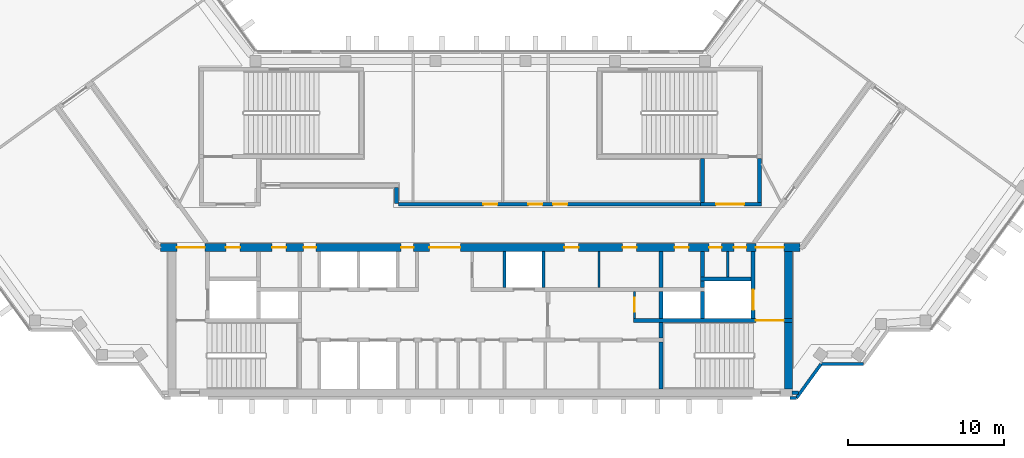
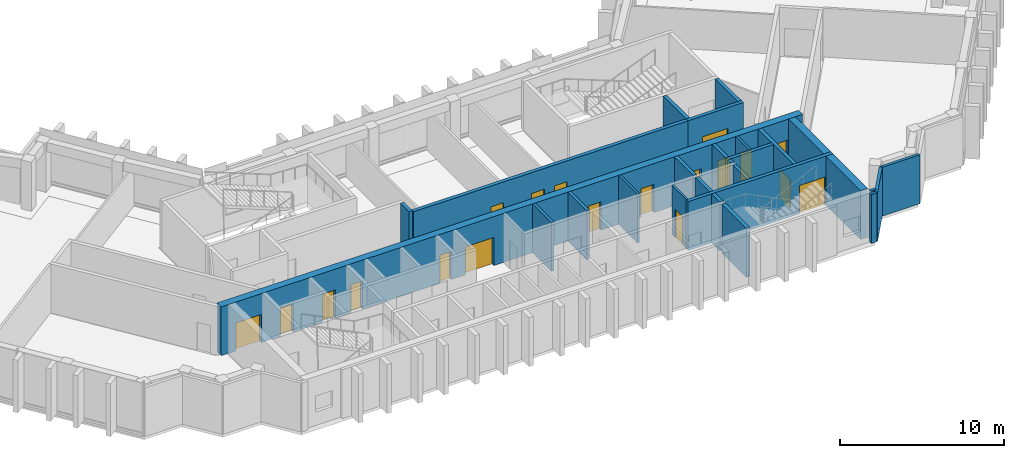
# One storey, part 7 of 10: 27 walls, 19 doors, 19 openings.
"""IFC4 building model written with IfcOpenShell, lengths in metres."""

from ifc_helpers import new_model, si_unit, direction, frame, frame_2d, origin, place, context, subcontext, project, spatial, rectangle, extrude, material, layer, layer_set, type_object, element, fill, save


model = new_model("IFC4")

# Units and contexts
model_context = context("Model", 3, precision=1e-05, world=origin(), true_north=direction((0.0, 1.0)))
body_context = subcontext(model_context, "Body", "Model", "MODEL_VIEW")
ifc_project = project(units=[si_unit("LENGTHUNIT", "METRE"), si_unit("AREAUNIT", "SQUARE_METRE"), si_unit("VOLUMEUNIT", "CUBIC_METRE"), si_unit("PLANEANGLEUNIT", "RADIAN"), si_unit("MASSUNIT", "GRAM", prefix="KILO")], contexts=[model_context])

# Site, building, storey
site_placement = place(None, origin())
site = spatial("IfcSite", under=ifc_project, at=site_placement, CompositionType="ELEMENT")
building_placement = place(site_placement, origin())
building = spatial("IfcBuilding", under=site, at=building_placement, Name="Quipu Civic Tower", CompositionType="ELEMENT")
storey_placement = place(building_placement, frame((0.0, 0.0, 253.0)))
storey = spatial("IfcBuildingStorey", under=building, at=storey_placement, Name="L59", CompositionType="ELEMENT", Elevation=253.0)

# Walls
ifc_material_1 = material(Name="Concrete C70/85", Category="concrete")
ifc_layer_1 = layer(ifc_material_1, 0.25)
ifc_layer_set_1 = layer_set([ifc_layer_1], Name="Concrete C70/85")
wall_type_1 = type_object("IfcWallType", Name="Core wall 250", PredefinedType="SHEAR", material=ifc_layer_set_1)
wall_1_placement = place(storey_placement, frame((11.574951171875, -10.5, 0.0), z_axis=(0.0, 0.0, 1.0), x_axis=(0.0, 1.0, 0.0)))
element("IfcWall", 1, at=wall_1_placement, inside=storey, type_object=wall_type_1, Name="Core wall", PredefinedType="SHEAR", context=body_context, shape_type="SweptSolid", body=[
    extrude(rectangle(XDim=3.0, YDim=0.25, at=frame_2d((1.5, 0.0))), origin(), (0.0, 0.0, 1.0), 3.64990234375),
])
wall_2_placement = place(storey_placement, frame((11.574951171875, -7.25, 0.0), z_axis=(0.0, 0.0, 1.0), x_axis=(0.0, 1.0, 0.0)))
element("IfcWall", 2, at=wall_2_placement, inside=storey, type_object=wall_type_1, Name="Core wall", PredefinedType="SHEAR", context=body_context, shape_type="SweptSolid", body=[
    extrude(rectangle(XDim=1.0, YDim=0.25, at=frame_2d((0.5, 0.0))), origin(), (0.0, 0.0, 1.0), 3.64990234375),
])

# Wall, opening, door
wall_3_placement = place(storey_placement, frame((20.0, -6.125, 0.0), z_axis=(0.0, 0.0, 1.0), x_axis=(-1.0, 0.0, 0.0)))
wall_3 = element("IfcWall", 3, at=wall_3_placement, inside=storey, type_object=wall_type_1, Name="Core wall", PredefinedType="SHEAR", context=body_context, shape_type="SweptSolid", body=[
    extrude(rectangle(XDim=10.199951171875, YDim=0.25, at=frame_2d((5.10009765625, 0.0))), origin(), (0.0, 0.0, 1.0), 3.64990234375),
])
opening_1_placement = place(wall_3_placement, frame((0.550048828125, 0.0, 0.0)))
opening_1 = element("IfcOpeningElement", 4, at=opening_1_placement, cuts=wall_3, Name="Opening CD-11", PredefinedType="OPENING", context=body_context, shape_type="SweptSolid", body=[
    extrude(rectangle(XDim=1.800048828125, YDim=2.10009765625, at=frame_2d((0.89990234375, 1.050048828125))), frame((0.0, 0.135009765625, 0.0), z_axis=(0.0, -1.0, 0.0), x_axis=(1.0, 0.0, 0.0)), (0.0, 0.0, 1.0), 0.27001953125),
])
ifc_material_2 = material(Name="Fire rated steel door", Category="steel")
door_type_1 = type_object("IfcDoorType", Name="Fire door FD90 double 1800 x 2100", OperationType="NOTDEFINED", PredefinedType="DOOR", material=ifc_material_2)
door_1_placement = place(opening_1_placement, origin())
door_1 = element("IfcDoor", 5, at=door_1_placement, inside=storey, type_object=door_type_1, Name="Door", OperationType="DOUBLE_DOOR_SINGLE_SWING", OverallHeight=2.10009765625, OverallWidth=1.800048828125, PredefinedType="DOOR", context=body_context, shape_type="SweptSolid", body=[
    extrude(rectangle(XDim=1.800048828125, YDim=2.10009765625, at=frame_2d((0.89990234375, 1.050048828125))), frame((0.0, 0.02490234375, 0.0), z_axis=(0.0, -1.0, 0.0), x_axis=(1.0, 0.0, 0.0)), (0.0, 0.0, 1.0), 0.050048828125),
])
fill(opening_1, door_1)

# Walls
for number, where, z_axis, x_axis, name in (
    (6, (11.574951171875, -6.0, 0.0), (0.0, 0.0, 1.0), (0.0, 1.0, 0.0), "Core wall"),
    (7, (14.22509765625, -6.0, 0.0), (0.0, 0.0, 1.0), (0.0, 1.0, 0.0), "Core wall"),
):
    element("IfcWall", number, at=place(storey_placement, frame(where, z_axis=z_axis, x_axis=x_axis)), inside=storey, type_object=wall_type_1, Name=name, PredefinedType="SHEAR", context=body_context, shape_type="SweptSolid", body=[
        extrude(rectangle(XDim=1.75, YDim=0.25, at=frame_2d((0.875, 0.0))), origin(), (0.0, 0.0, 1.0), 3.64990234375),
    ])

# Wall, opening, door
wall_4_placement = place(storey_placement, frame((17.47509765625, -6.0, 0.0), z_axis=(0.0, 0.0, 1.0), x_axis=(0.0, 1.0, 0.0)))
wall_4 = element("IfcWall", 8, at=wall_4_placement, inside=storey, type_object=wall_type_1, Name="Core wall", PredefinedType="SHEAR", context=body_context, shape_type="SweptSolid", body=[
    extrude(rectangle(XDim=4.300048828125, YDim=0.25, at=frame_2d((2.14990234375, 0.0))), origin(), (0.0, 0.0, 1.0), 3.64990234375),
])
opening_2_placement = place(wall_4_placement, frame((0.550048828125, 0.0, 0.0)))
opening_2 = element("IfcOpeningElement", 9, at=opening_2_placement, cuts=wall_4, Name="Opening LD-FF2", PredefinedType="OPENING", context=body_context, shape_type="SweptSolid", body=[
    extrude(rectangle(XDim=1.300048828125, YDim=2.10009765625, at=frame_2d((0.64990234375, 1.050048828125))), frame((0.0, 0.135009765625, 0.0), z_axis=(0.0, -1.0, 0.0), x_axis=(1.0, 0.0, 0.0)), (0.0, 0.0, 1.0), 0.27001953125),
])
ifc_material_3 = material(Name="Stainless steel", Category="steel")
door_type_2 = type_object("IfcDoorType", Name="Lift landing door 1300 x 2100", OperationType="DOUBLE_DOOR_SLIDING", PredefinedType="DOOR", material=ifc_material_3)
door_2_placement = place(opening_2_placement, origin())
door_2 = element("IfcDoor", 10, at=door_2_placement, inside=storey, type_object=door_type_2, Name="Landing door FF2", OperationType="DOUBLE_DOOR_SLIDING", OverallHeight=2.10009765625, OverallWidth=1.300048828125, PredefinedType="DOOR", context=body_context, shape_type="SweptSolid", body=[
    extrude(rectangle(XDim=1.300048828125, YDim=2.10009765625, at=frame_2d((0.64990234375, 1.050048828125))), frame((0.0, 0.02490234375, 0.0), z_axis=(0.0, -1.0, 0.0), x_axis=(1.0, 0.0, 0.0)), (0.0, 0.0, 1.0), 0.050048828125),
])
fill(opening_2, door_2)

# Walls
wall_5_placement = place(storey_placement, frame((11.574951171875, -4.0, 0.0), z_axis=(0.0, 0.0, 1.0), x_axis=(0.0, 1.0, 0.0)))
element("IfcWall", 11, at=wall_5_placement, inside=storey, type_object=wall_type_1, Name="Core wall", PredefinedType="SHEAR", context=body_context, shape_type="SweptSolid", body=[
    extrude(rectangle(XDim=2.300048828125, YDim=0.25, at=frame_2d((1.14990234375, 0.0))), origin(), (0.0, 0.0, 1.0), 3.64990234375),
])
wall_6_placement = place(storey_placement, frame((14.22509765625, -4.0, 0.0), z_axis=(0.0, 0.0, 1.0), x_axis=(0.0, 1.0, 0.0)))
element("IfcWall", 12, at=wall_6_placement, inside=storey, type_object=wall_type_1, Name="Core wall", PredefinedType="SHEAR", context=body_context, shape_type="SweptSolid", body=[
    extrude(rectangle(XDim=0.39990234375, YDim=0.25, at=frame_2d((0.199951171875, 0.0))), origin(), (0.0, 0.0, 1.0), 3.64990234375),
])
wall_7_placement = place(storey_placement, frame((14.10009765625, -3.47509765625, 0.0), z_axis=(0.0, 0.0, 1.0), x_axis=(1.0, 0.0, 0.0)))
element("IfcWall", 13, at=wall_7_placement, inside=storey, type_object=wall_type_1, Name="Core wall", PredefinedType="SHEAR", context=body_context, shape_type="SweptSolid", body=[
    extrude(rectangle(XDim=3.25, YDim=0.25, at=frame_2d((1.625, 0.0))), origin(), (0.0, 0.0, 1.0), 3.64990234375),
])
wall_8_placement = place(storey_placement, frame((14.22509765625, -3.35009765625, 0.0), z_axis=(0.0, 0.0, 1.0), x_axis=(0.0, 1.0, 0.0)))
element("IfcWall", 14, at=wall_8_placement, inside=storey, type_object=wall_type_1, Name="Core wall", PredefinedType="SHEAR", context=body_context, shape_type="SweptSolid", body=[
    extrude(rectangle(XDim=1.650146484375, YDim=0.25, at=frame_2d((0.8251953125, 0.0))), origin(), (0.0, 0.0, 1.0), 3.64990234375),
])

# Wall, opening, door
wall_9_placement = place(storey_placement, frame((14.10009765625, 1.324951171875, 0.0), z_axis=(0.0, 0.0, 1.0), x_axis=(1.0, 0.0, 0.0)))
wall_9 = element("IfcWall", 15, at=wall_9_placement, inside=storey, type_object=wall_type_1, Name="Core wall", PredefinedType="SHEAR", context=body_context, shape_type="SweptSolid", body=[
    extrude(rectangle(XDim=3.89990234375, YDim=0.25, at=frame_2d((1.949951171875, 0.0))), origin(), (0.0, 0.0, 1.0), 3.64990234375),
])
opening_3_placement = place(wall_9_placement, frame((1.0, 0.0, 0.0)))
opening_3 = element("IfcOpeningElement", 16, at=opening_3_placement, cuts=wall_9, Name="Opening CD-29", PredefinedType="OPENING", context=body_context, shape_type="SweptSolid", body=[
    extrude(rectangle(XDim=1.800048828125, YDim=2.10009765625, at=frame_2d((0.89990234375, 1.050048828125))), frame((0.0, 0.135009765625, 0.0), z_axis=(0.0, -1.0, 0.0), x_axis=(1.0, 0.0, 0.0)), (0.0, 0.0, 1.0), 0.27001953125),
])
door_3_placement = place(opening_3_placement, origin())
door_3 = element("IfcDoor", 17, at=door_3_placement, inside=storey, type_object=door_type_1, Name="Lobby door", OperationType="DOUBLE_DOOR_SINGLE_SWING", OverallHeight=2.10009765625, OverallWidth=1.800048828125, PredefinedType="DOOR", context=body_context, shape_type="SweptSolid", body=[
    extrude(rectangle(XDim=1.800048828125, YDim=2.10009765625, at=frame_2d((0.89990234375, 1.050048828125))), frame((0.0, 0.02490234375, 0.0), z_axis=(0.0, -1.0, 0.0), x_axis=(1.0, 0.0, 0.0)), (0.0, 0.0, 1.0), 0.050048828125),
])
fill(opening_3, door_3)

# Walls
for number, where, z_axis, x_axis, name in (
    (18, (14.22509765625, 1.449951171875, 0.0), (0.0, 0.0, 1.0), (0.0, 1.0, 0.0), "Core wall"),
    (19, (17.875, 1.449951171875, 0.0), (0.0, 0.0, 1.0), (0.0, 1.0, 0.0), "Core wall"),
):
    element("IfcWall", number, at=place(storey_placement, frame(where, z_axis=z_axis, x_axis=x_axis)), inside=storey, type_object=wall_type_1, Name=name, PredefinedType="SHEAR", context=body_context, shape_type="SweptSolid", body=[
        extrude(rectangle(XDim=2.800048828125, YDim=0.25, at=frame_2d((1.39990234375, 0.0))), origin(), (0.0, 0.0, 1.0), 3.64990234375),
    ])
ifc_material_4 = material(Name="Concrete C70/85", Category="concrete")
ifc_layer_2 = layer(ifc_material_4, 0.5)
ifc_layer_set_2 = layer_set([ifc_layer_2], Name="Concrete C70/85")
wall_type_2 = type_object("IfcWallType", Name="Core wall 500", PredefinedType="SHEAR", material=ifc_layer_set_2)
wall_10_placement = place(storey_placement, frame((19.75, -10.5, 0.0), z_axis=(0.0, 0.0, 1.0), x_axis=(0.0, 1.0, 0.0)))
element("IfcWall", 20, at=wall_10_placement, inside=storey, type_object=wall_type_2, Name="Core wall", PredefinedType="SHEAR", context=body_context, shape_type="SweptSolid", body=[
    extrude(rectangle(XDim=4.25, YDim=0.5, at=frame_2d((2.125, 0.0))), origin(), (0.0, 0.0, 1.0), 3.64990234375),
])
wall_11_placement = place(storey_placement, frame((19.75, -6.0, 0.0), z_axis=(0.0, 0.0, 1.0), x_axis=(0.0, 1.0, 0.0)))
element("IfcWall", 21, at=wall_11_placement, inside=storey, type_object=wall_type_2, Name="Core wall", PredefinedType="SHEAR", context=body_context, shape_type="SweptSolid", body=[
    extrude(rectangle(XDim=4.300048828125, YDim=0.5, at=frame_2d((2.14990234375, 0.0))), origin(), (0.0, 0.0, 1.0), 3.64990234375),
])

# Wall, openings, doors
wall_12_placement = place(storey_placement, frame((20.489990234375, -1.449951171875, 0.0), z_axis=(0.0, 0.0, 1.0), x_axis=(-1.0, 0.0, 0.0)))
wall_12 = element("IfcWall", 22, at=wall_12_placement, inside=storey, type_object=wall_type_2, Name="Core wall", PredefinedType="SHEAR", context=body_context, shape_type="SweptSolid", body=[
    extrude(rectangle(XDim=40.97998046875, YDim=0.5, at=frame_2d((20.489990234375, 0.0))), origin(), (0.0, 0.0, 1.0), 3.64990234375),
])
opening_4_placement = place(wall_12_placement, frame((38.139892578125, 0.0, 0.0)))
opening_4 = element("IfcOpeningElement", 23, at=opening_4_placement, cuts=wall_12, Name="Opening CD-15", PredefinedType="OPENING", context=body_context, shape_type="SweptSolid", body=[
    extrude(rectangle(XDim=1.800048828125, YDim=2.10009765625, at=frame_2d((0.89990234375, 1.050048828125))), frame((0.0, 0.260009765625, 0.0), z_axis=(0.0, -1.0, 0.0), x_axis=(1.0, 0.0, 0.0)), (0.0, 0.0, 1.0), 0.52001953125),
])
opening_5_placement = place(wall_12_placement, frame((35.889892578125, 0.0, 0.0)))
opening_5 = element("IfcOpeningElement", 24, at=opening_5_placement, cuts=wall_12, Name="Opening CD-16", PredefinedType="OPENING", context=body_context, shape_type="SweptSolid", body=[
    extrude(rectangle(XDim=0.89990234375, YDim=2.10009765625, at=frame_2d((0.449951171875, 1.050048828125))), frame((0.0, 0.260009765625, 0.0), z_axis=(0.0, -1.0, 0.0), x_axis=(1.0, 0.0, 0.0)), (0.0, 0.0, 1.0), 0.52001953125),
])
opening_6_placement = place(wall_12_placement, frame((32.93994140625, 0.0, 0.0)))
opening_6 = element("IfcOpeningElement", 25, at=opening_6_placement, cuts=wall_12, Name="Opening CD-17", PredefinedType="OPENING", context=body_context, shape_type="SweptSolid", body=[
    extrude(rectangle(XDim=0.89990234375, YDim=2.10009765625, at=frame_2d((0.449951171875, 1.050048828125))), frame((0.0, 0.260009765625, 0.0), z_axis=(0.0, -1.0, 0.0), x_axis=(1.0, 0.0, 0.0)), (0.0, 0.0, 1.0), 0.52001953125),
])
opening_7_placement = place(wall_12_placement, frame((31.014892578125, 0.0, 0.0)))
opening_7 = element("IfcOpeningElement", 26, at=opening_7_placement, cuts=wall_12, Name="Opening CD-18", PredefinedType="OPENING", context=body_context, shape_type="SweptSolid", body=[
    extrude(rectangle(XDim=0.800048828125, YDim=2.10009765625, at=frame_2d((0.39990234375, 1.050048828125))), frame((0.0, 0.260009765625, 0.0), z_axis=(0.0, -1.0, 0.0), x_axis=(1.0, 0.0, 0.0)), (0.0, 0.0, 1.0), 0.52001953125),
])
opening_8_placement = place(wall_12_placement, frame((24.764892578125, 0.0, 0.0)))
opening_8 = element("IfcOpeningElement", 27, at=opening_8_placement, cuts=wall_12, Name="Opening CD-19", PredefinedType="OPENING", context=body_context, shape_type="SweptSolid", body=[
    extrude(rectangle(XDim=0.800048828125, YDim=2.10009765625, at=frame_2d((0.39990234375, 1.050048828125))), frame((0.0, 0.260009765625, 0.0), z_axis=(0.0, -1.0, 0.0), x_axis=(1.0, 0.0, 0.0)), (0.0, 0.0, 1.0), 0.52001953125),
])
opening_9_placement = place(wall_12_placement, frame((21.764892578125, 0.0, 0.0)))
opening_9 = element("IfcOpeningElement", 28, at=opening_9_placement, cuts=wall_12, Name="Opening CD-20", PredefinedType="OPENING", context=body_context, shape_type="SweptSolid", body=[
    extrude(rectangle(XDim=2.0, YDim=2.10009765625, at=frame_2d((1.0, 1.050048828125))), frame((0.0, 0.260009765625, 0.0), z_axis=(0.0, -1.0, 0.0), x_axis=(1.0, 0.0, 0.0)), (0.0, 0.0, 1.0), 0.52001953125),
])
opening_10_placement = place(wall_12_placement, frame((14.202392578125, 0.0, 0.0)))
opening_10 = element("IfcOpeningElement", 29, at=opening_10_placement, cuts=wall_12, Name="Opening CD-21", PredefinedType="OPENING", context=body_context, shape_type="SweptSolid", body=[
    extrude(rectangle(XDim=0.89990234375, YDim=2.10009765625, at=frame_2d((0.449951171875, 1.050048828125))), frame((0.0, 0.260009765625, 0.0), z_axis=(0.0, -1.0, 0.0), x_axis=(1.0, 0.0, 0.0)), (0.0, 0.0, 1.0), 0.52001953125),
])
opening_11_placement = place(wall_12_placement, frame((10.4775390625, 0.0, 0.0)))
opening_11 = element("IfcOpeningElement", 30, at=opening_11_placement, cuts=wall_12, Name="Opening CD-22", PredefinedType="OPENING", context=body_context, shape_type="SweptSolid", body=[
    extrude(rectangle(XDim=0.89990234375, YDim=2.10009765625, at=frame_2d((0.449951171875, 1.050048828125))), frame((0.0, 0.260009765625, 0.0), z_axis=(0.0, -1.0, 0.0), x_axis=(1.0, 0.0, 0.0)), (0.0, 0.0, 1.0), 0.52001953125),
])
opening_12_placement = place(wall_12_placement, frame((7.139892578125, 0.0, 0.0)))
opening_12 = element("IfcOpeningElement", 31, at=opening_12_placement, cuts=wall_12, Name="Opening CD-23", PredefinedType="OPENING", context=body_context, shape_type="SweptSolid", body=[
    extrude(rectangle(XDim=0.89990234375, YDim=2.10009765625, at=frame_2d((0.449951171875, 1.050048828125))), frame((0.0, 0.260009765625, 0.0), z_axis=(0.0, -1.0, 0.0), x_axis=(1.0, 0.0, 0.0)), (0.0, 0.0, 1.0), 0.52001953125),
])
opening_13_placement = place(wall_12_placement, frame((5.027587890625, 0.0, 0.0)))
opening_13 = element("IfcOpeningElement", 32, at=opening_13_placement, cuts=wall_12, Name="Opening CD-24", PredefinedType="OPENING", context=body_context, shape_type="SweptSolid", body=[
    extrude(rectangle(XDim=0.800048828125, YDim=2.10009765625, at=frame_2d((0.39990234375, 1.050048828125))), frame((0.0, 0.260009765625, 0.0), z_axis=(0.0, -1.0, 0.0), x_axis=(1.0, 0.0, 0.0)), (0.0, 0.0, 1.0), 0.52001953125),
])
opening_14_placement = place(wall_12_placement, frame((3.452392578125, 0.0, 0.0)))
opening_14 = element("IfcOpeningElement", 33, at=opening_14_placement, cuts=wall_12, Name="Opening CD-25", PredefinedType="OPENING", context=body_context, shape_type="SweptSolid", body=[
    extrude(rectangle(XDim=0.800048828125, YDim=2.10009765625, at=frame_2d((0.39990234375, 1.050048828125))), frame((0.0, 0.260009765625, 0.0), z_axis=(0.0, -1.0, 0.0), x_axis=(1.0, 0.0, 0.0)), (0.0, 0.0, 1.0), 0.52001953125),
])
opening_15_placement = place(wall_12_placement, frame((1.0400390625, 0.0, 0.0)))
opening_15 = element("IfcOpeningElement", 34, at=opening_15_placement, cuts=wall_12, Name="Opening CD-26", PredefinedType="OPENING", context=body_context, shape_type="SweptSolid", body=[
    extrude(rectangle(XDim=1.800048828125, YDim=2.10009765625, at=frame_2d((0.89990234375, 1.050048828125))), frame((0.0, 0.260009765625, 0.0), z_axis=(0.0, -1.0, 0.0), x_axis=(1.0, 0.0, 0.0)), (0.0, 0.0, 1.0), 0.52001953125),
])
ifc_material_5 = material(Name="Fire rated steel door", Category="steel")
door_type_3 = type_object("IfcDoorType", Name="Fire door FD60 800 x 2100", OperationType="NOTDEFINED", PredefinedType="DOOR", material=ifc_material_5)
door_4_placement = place(opening_7_placement, origin())
door_4 = element("IfcDoor", 35, at=door_4_placement, inside=storey, type_object=door_type_3, Name="Door", OperationType="SINGLE_SWING_RIGHT", OverallHeight=2.10009765625, OverallWidth=0.800048828125, PredefinedType="DOOR", context=body_context, shape_type="SweptSolid", body=[
    extrude(rectangle(XDim=0.800048828125, YDim=2.10009765625, at=frame_2d((0.39990234375, 1.050048828125))), frame((0.0, 0.02490234375, 0.0), z_axis=(0.0, -1.0, 0.0), x_axis=(1.0, 0.0, 0.0)), (0.0, 0.0, 1.0), 0.050048828125),
])
fill(opening_7, door_4)
door_5_placement = place(opening_8_placement, origin())
door_5 = element("IfcDoor", 36, at=door_5_placement, inside=storey, type_object=door_type_3, Name="Door", OperationType="SINGLE_SWING_RIGHT", OverallHeight=2.10009765625, OverallWidth=0.800048828125, PredefinedType="DOOR", context=body_context, shape_type="SweptSolid", body=[
    extrude(rectangle(XDim=0.800048828125, YDim=2.10009765625, at=frame_2d((0.39990234375, 1.050048828125))), frame((0.0, 0.02490234375, 0.0), z_axis=(0.0, -1.0, 0.0), x_axis=(1.0, 0.0, 0.0)), (0.0, 0.0, 1.0), 0.050048828125),
])
fill(opening_8, door_5)
door_6_placement = place(opening_13_placement, origin())
door_6 = element("IfcDoor", 37, at=door_6_placement, inside=storey, type_object=door_type_3, Name="Door", OperationType="SINGLE_SWING_LEFT", OverallHeight=2.10009765625, OverallWidth=0.800048828125, PredefinedType="DOOR", context=body_context, shape_type="SweptSolid", body=[
    extrude(rectangle(XDim=0.800048828125, YDim=2.10009765625, at=frame_2d((0.39990234375, 1.050048828125))), frame((0.0, 0.02490234375, 0.0), z_axis=(0.0, -1.0, 0.0), x_axis=(1.0, 0.0, 0.0)), (0.0, 0.0, 1.0), 0.050048828125),
])
fill(opening_13, door_6)
door_7_placement = place(opening_14_placement, origin())
door_7 = element("IfcDoor", 38, at=door_7_placement, inside=storey, type_object=door_type_3, Name="Door", OperationType="SINGLE_SWING_LEFT", OverallHeight=2.10009765625, OverallWidth=0.800048828125, PredefinedType="DOOR", context=body_context, shape_type="SweptSolid", body=[
    extrude(rectangle(XDim=0.800048828125, YDim=2.10009765625, at=frame_2d((0.39990234375, 1.050048828125))), frame((0.0, 0.02490234375, 0.0), z_axis=(0.0, -1.0, 0.0), x_axis=(1.0, 0.0, 0.0)), (0.0, 0.0, 1.0), 0.050048828125),
])
fill(opening_14, door_7)
ifc_material_6 = material(Name="Fire rated steel door", Category="steel")
door_type_4 = type_object("IfcDoorType", Name="Fire door FD60 900 x 2100", OperationType="NOTDEFINED", PredefinedType="DOOR", material=ifc_material_6)
door_8_placement = place(opening_5_placement, origin())
door_8 = element("IfcDoor", 39, at=door_8_placement, inside=storey, type_object=door_type_4, Name="Door", OperationType="SINGLE_SWING_RIGHT", OverallHeight=2.10009765625, OverallWidth=0.89990234375, PredefinedType="DOOR", context=body_context, shape_type="SweptSolid", body=[
    extrude(rectangle(XDim=0.89990234375, YDim=2.10009765625, at=frame_2d((0.449951171875, 1.050048828125))), frame((0.0, 0.02490234375, 0.0), z_axis=(0.0, -1.0, 0.0), x_axis=(1.0, 0.0, 0.0)), (0.0, 0.0, 1.0), 0.050048828125),
])
fill(opening_5, door_8)
door_9_placement = place(opening_6_placement, origin())
door_9 = element("IfcDoor", 40, at=door_9_placement, inside=storey, type_object=door_type_4, Name="Riser door", OperationType="SINGLE_SWING_RIGHT", OverallHeight=2.10009765625, OverallWidth=0.89990234375, PredefinedType="DOOR", context=body_context, shape_type="SweptSolid", body=[
    extrude(rectangle(XDim=0.89990234375, YDim=2.10009765625, at=frame_2d((0.449951171875, 1.050048828125))), frame((0.0, 0.02490234375, 0.0), z_axis=(0.0, -1.0, 0.0), x_axis=(1.0, 0.0, 0.0)), (0.0, 0.0, 1.0), 0.050048828125),
])
fill(opening_6, door_9)
door_10_placement = place(opening_10_placement, origin())
door_10 = element("IfcDoor", 41, at=door_10_placement, inside=storey, type_object=door_type_4, Name="Door", OperationType="SINGLE_SWING_LEFT", OverallHeight=2.10009765625, OverallWidth=0.89990234375, PredefinedType="DOOR", context=body_context, shape_type="SweptSolid", body=[
    extrude(rectangle(XDim=0.89990234375, YDim=2.10009765625, at=frame_2d((0.449951171875, 1.050048828125))), frame((0.0, 0.02490234375, 0.0), z_axis=(0.0, -1.0, 0.0), x_axis=(1.0, 0.0, 0.0)), (0.0, 0.0, 1.0), 0.050048828125),
])
fill(opening_10, door_10)
door_11_placement = place(opening_11_placement, origin())
door_11 = element("IfcDoor", 42, at=door_11_placement, inside=storey, type_object=door_type_4, Name="Door", OperationType="SINGLE_SWING_LEFT", OverallHeight=2.10009765625, OverallWidth=0.89990234375, PredefinedType="DOOR", context=body_context, shape_type="SweptSolid", body=[
    extrude(rectangle(XDim=0.89990234375, YDim=2.10009765625, at=frame_2d((0.449951171875, 1.050048828125))), frame((0.0, 0.02490234375, 0.0), z_axis=(0.0, -1.0, 0.0), x_axis=(1.0, 0.0, 0.0)), (0.0, 0.0, 1.0), 0.050048828125),
])
fill(opening_11, door_11)
door_12_placement = place(opening_12_placement, origin())
door_12 = element("IfcDoor", 43, at=door_12_placement, inside=storey, type_object=door_type_4, Name="Riser door", OperationType="SINGLE_SWING_LEFT", OverallHeight=2.10009765625, OverallWidth=0.89990234375, PredefinedType="DOOR", context=body_context, shape_type="SweptSolid", body=[
    extrude(rectangle(XDim=0.89990234375, YDim=2.10009765625, at=frame_2d((0.449951171875, 1.050048828125))), frame((0.0, 0.02490234375, 0.0), z_axis=(0.0, -1.0, 0.0), x_axis=(1.0, 0.0, 0.0)), (0.0, 0.0, 1.0), 0.050048828125),
])
fill(opening_12, door_12)
door_13_placement = place(opening_4_placement, origin())
door_13 = element("IfcDoor", 44, at=door_13_placement, inside=storey, type_object=door_type_1, Name="Lobby door", OperationType="DOUBLE_DOOR_SINGLE_SWING", OverallHeight=2.10009765625, OverallWidth=1.800048828125, PredefinedType="DOOR", context=body_context, shape_type="SweptSolid", body=[
    extrude(rectangle(XDim=1.800048828125, YDim=2.10009765625, at=frame_2d((0.89990234375, 1.050048828125))), frame((0.0, 0.02490234375, 0.0), z_axis=(0.0, -1.0, 0.0), x_axis=(1.0, 0.0, 0.0)), (0.0, 0.0, 1.0), 0.050048828125),
])
fill(opening_4, door_13)
door_14_placement = place(opening_15_placement, origin())
door_14 = element("IfcDoor", 45, at=door_14_placement, inside=storey, type_object=door_type_1, Name="Lobby door", OperationType="DOUBLE_DOOR_SINGLE_SWING", OverallHeight=2.10009765625, OverallWidth=1.800048828125, PredefinedType="DOOR", context=body_context, shape_type="SweptSolid", body=[
    extrude(rectangle(XDim=1.800048828125, YDim=2.10009765625, at=frame_2d((0.89990234375, 1.050048828125))), frame((0.0, 0.02490234375, 0.0), z_axis=(0.0, -1.0, 0.0), x_axis=(1.0, 0.0, 0.0)), (0.0, 0.0, 1.0), 0.050048828125),
])
fill(opening_15, door_14)
ifc_material_7 = material(Name="Fire rated steel door", Category="steel")
door_type_5 = type_object("IfcDoorType", Name="Fire door FD90 double 2000 x 2100", OperationType="NOTDEFINED", PredefinedType="DOOR", material=ifc_material_7)
door_15_placement = place(opening_9_placement, origin())
door_15 = element("IfcDoor", 46, at=door_15_placement, inside=storey, type_object=door_type_5, Name="Lobby door", OperationType="DOUBLE_DOOR_SINGLE_SWING", OverallHeight=2.10009765625, OverallWidth=2.0, PredefinedType="DOOR", context=body_context, shape_type="SweptSolid", body=[
    extrude(rectangle(XDim=2.0, YDim=2.10009765625, at=frame_2d((1.0, 1.050048828125))), frame((0.0, 0.02490234375, 0.0), z_axis=(0.0, -1.0, 0.0), x_axis=(1.0, 0.0, 0.0)), (0.0, 0.0, 1.0), 0.050048828125),
])
fill(opening_9, door_15)

# Wall
ifc_material_8 = material(Name="Concrete C50/60", Category="concrete")
ifc_layer_3 = layer(ifc_material_8, 0.25)
ifc_layer_set_3 = layer_set([ifc_layer_3], Name="Concrete C50/60")
wall_type_3 = type_object("IfcWallType", Name="Corridor wall 250 concrete", PredefinedType="SOLIDWALL", material=ifc_layer_set_3)
wall_13_placement = place(storey_placement, frame((-5.375, 2.39990234375, 0.0), z_axis=(0.0, 0.0, 1.0), x_axis=(0.0, -1.0, 0.0)))
element("IfcWall", 47, at=wall_13_placement, inside=storey, type_object=wall_type_3, Name="Corridor wall C08", PredefinedType="SOLIDWALL", context=body_context, shape_type="SweptSolid", body=[
    extrude(rectangle(XDim=1.041259765625, YDim=0.25, at=frame_2d((0.5205078125, 0.0))), origin(), (0.0, 0.0, 1.0), 3.64990234375),
])

# Wall, openings, doors
wall_14_placement = place(storey_placement, frame((-5.246337890625, 1.324951171875, 0.0), z_axis=(0.0, 0.0, 1.0), x_axis=(1.0, 0.0, 0.0)))
wall_14 = element("IfcWall", 48, at=wall_14_placement, inside=storey, type_object=wall_type_3, Name="Corridor wall C09", PredefinedType="SOLIDWALL", context=body_context, shape_type="SweptSolid", body=[
    extrude(rectangle(XDim=19.33642578125, YDim=0.25, at=frame_2d((9.668212890625, 0.0))), origin(), (0.0, 0.0, 1.0), 3.64990234375),
])
opening_16_placement = place(wall_14_placement, frame((5.435302734375, 0.0, 0.0)))
opening_16 = element("IfcOpeningElement", 49, at=opening_16_placement, cuts=wall_14, Name="Opening D005", PredefinedType="OPENING", context=body_context, shape_type="SweptSolid", body=[
    extrude(rectangle(XDim=0.89990234375, YDim=2.10009765625, at=frame_2d((0.449951171875, 1.050048828125))), frame((0.0, 0.135009765625, 0.0), z_axis=(0.0, -1.0, 0.0), x_axis=(1.0, 0.0, 0.0)), (0.0, 0.0, 1.0), 0.27001953125),
])
opening_17_placement = place(wall_14_placement, frame((9.915283203125, 0.0, 0.0)))
opening_17 = element("IfcOpeningElement", 50, at=opening_17_placement, cuts=wall_14, Name="Opening D007", PredefinedType="OPENING", context=body_context, shape_type="SweptSolid", body=[
    extrude(rectangle(XDim=0.89990234375, YDim=2.10009765625, at=frame_2d((0.449951171875, 1.050048828125))), frame((0.0, 0.135009765625, 0.0), z_axis=(0.0, -1.0, 0.0), x_axis=(1.0, 0.0, 0.0)), (0.0, 0.0, 1.0), 0.27001953125),
])
opening_18_placement = place(wall_14_placement, frame((8.315185546875, 0.0, 0.0)))
opening_18 = element("IfcOpeningElement", 51, at=opening_18_placement, cuts=wall_14, Name="Opening D006", PredefinedType="OPENING", context=body_context, shape_type="SweptSolid", body=[
    extrude(rectangle(XDim=0.89990234375, YDim=2.10009765625, at=frame_2d((0.449951171875, 1.050048828125))), frame((0.0, 0.135009765625, 0.0), z_axis=(0.0, -1.0, 0.0), x_axis=(1.0, 0.0, 0.0)), (0.0, 0.0, 1.0), 0.27001953125),
])
ifc_material_9 = material(Name="Fire rated timber door set with metal frame", Category="wood")
door_type_6 = type_object("IfcDoorType", Name="Single door 900 x 2100 FD60", OperationType="NOTDEFINED", PredefinedType="DOOR", material=ifc_material_9)
door_16_placement = place(opening_16_placement, origin())
door_16 = element("IfcDoor", 52, at=door_16_placement, inside=storey, type_object=door_type_6, Name="Door D005", OperationType="SINGLE_SWING_RIGHT", OverallHeight=2.10009765625, OverallWidth=0.89990234375, PredefinedType="DOOR", context=body_context, shape_type="SweptSolid", body=[
    extrude(rectangle(XDim=0.89990234375, YDim=2.10009765625, at=frame_2d((0.449951171875, 1.050048828125))), frame((0.0, 0.02490234375, 0.0), z_axis=(0.0, -1.0, 0.0), x_axis=(1.0, 0.0, 0.0)), (0.0, 0.0, 1.0), 0.050048828125),
])
fill(opening_16, door_16)
door_17_placement = place(opening_17_placement, origin())
door_17 = element("IfcDoor", 53, at=door_17_placement, inside=storey, type_object=door_type_6, Name="Door D007", OperationType="SINGLE_SWING_LEFT", OverallHeight=2.10009765625, OverallWidth=0.89990234375, PredefinedType="DOOR", context=body_context, shape_type="SweptSolid", body=[
    extrude(rectangle(XDim=0.89990234375, YDim=2.10009765625, at=frame_2d((0.449951171875, 1.050048828125))), frame((0.0, 0.02490234375, 0.0), z_axis=(0.0, -1.0, 0.0), x_axis=(1.0, 0.0, 0.0)), (0.0, 0.0, 1.0), 0.050048828125),
])
fill(opening_17, door_17)
door_18_placement = place(opening_18_placement, origin())
door_18 = element("IfcDoor", 54, at=door_18_placement, inside=storey, type_object=door_type_6, Name="Door D006", OperationType="SINGLE_SWING_RIGHT", OverallHeight=2.10009765625, OverallWidth=0.89990234375, PredefinedType="DOOR", context=body_context, shape_type="SweptSolid", body=[
    extrude(rectangle(XDim=0.89990234375, YDim=2.10009765625, at=frame_2d((0.449951171875, 1.050048828125))), frame((0.0, 0.02490234375, 0.0), z_axis=(0.0, -1.0, 0.0), x_axis=(1.0, 0.0, 0.0)), (0.0, 0.0, 1.0), 0.050048828125),
])
fill(opening_18, door_18)

# Wall, opening, door
ifc_material_10 = material(Name="Gypsum board partition")
ifc_layer_4 = layer(ifc_material_10, 0.14990234375)
ifc_layer_set_4 = layer_set([ifc_layer_4], Name="Gypsum board partition")
wall_type_4 = type_object("IfcWallType", Name="Partition 150", PredefinedType="PARTITIONING", material=ifc_layer_set_4)
wall_15_placement = place(storey_placement, frame((9.875, -6.0, 0.0), z_axis=(0.0, 0.0, 1.0), x_axis=(0.0, 1.0, 0.0)))
wall_15 = element("IfcWall", 55, at=wall_15_placement, inside=storey, type_object=wall_type_4, Name="Partition", PredefinedType="PARTITIONING", context=body_context, shape_type="SweptSolid", body=[
    extrude(rectangle(XDim=1.75, YDim=0.14990234375, at=frame_2d((0.875, 0.0))), origin(), (0.0, 0.0, 1.0), 3.64990234375),
])
opening_19_placement = place(wall_15_placement, frame((0.449951171875, 0.0, 0.0)))
opening_19 = element("IfcOpeningElement", 56, at=opening_19_placement, cuts=wall_15, Name="Opening CD-13", PredefinedType="OPENING", context=body_context, shape_type="SweptSolid", body=[
    extrude(rectangle(XDim=0.89990234375, YDim=2.10009765625, at=frame_2d((0.449951171875, 1.050048828125))), frame((0.0, 0.0849609375, 0.0), z_axis=(0.0, -1.0, 0.0), x_axis=(1.0, 0.0, 0.0)), (0.0, 0.0, 1.0), 0.169921875),
])
door_19_placement = place(opening_19_placement, origin())
door_19 = element("IfcDoor", 57, at=door_19_placement, inside=storey, type_object=door_type_4, Name="Door", OperationType="SINGLE_SWING_RIGHT", OverallHeight=2.10009765625, OverallWidth=0.89990234375, PredefinedType="DOOR", context=body_context, shape_type="SweptSolid", body=[
    extrude(rectangle(XDim=0.89990234375, YDim=2.10009765625, at=frame_2d((0.449951171875, 1.050048828125))), frame((0.0, 0.02490234375, 0.0), z_axis=(0.0, -1.0, 0.0), x_axis=(1.0, 0.0, 0.0)), (0.0, 0.0, 1.0), 0.050048828125),
])
fill(opening_19, door_19)

# Walls
wall_16_placement = place(storey_placement, frame((7.60009765625, -4.0, 0.0), z_axis=(0.0, 0.0, 1.0), x_axis=(0.0, 1.0, 0.0)))
element("IfcWall", 58, at=wall_16_placement, inside=storey, type_object=wall_type_4, Name="Partition", PredefinedType="PARTITIONING", context=body_context, shape_type="SweptSolid", body=[
    extrude(rectangle(XDim=2.300048828125, YDim=0.14990234375, at=frame_2d((1.14990234375, 0.0))), origin(), (0.0, 0.0, 1.0), 3.64990234375),
])
wall_17_placement = place(storey_placement, frame((15.85009765625, -3.35009765625, 0.0), z_axis=(0.0, 0.0, 1.0), x_axis=(0.0, 1.0, 0.0)))
element("IfcWall", 59, at=wall_17_placement, inside=storey, type_object=wall_type_4, Name="Partition", PredefinedType="PARTITIONING", context=body_context, shape_type="SweptSolid", body=[
    extrude(rectangle(XDim=1.650146484375, YDim=0.14990234375, at=frame_2d((0.8251953125, 0.0))), origin(), (0.0, 0.0, 1.0), 3.64990234375),
])
ifc_material_11 = material(Name="Precast concrete C40/50", Category="concrete")
wall_type_5 = type_object("IfcWallType", Name="Precast cladding wall", PredefinedType="SOLIDWALL", material=ifc_material_11)
wall_18_placement = place(storey_placement, frame((19.85009765625, -11.087890625, 0.0), z_axis=(0.0, 0.0, 1.0), x_axis=(1.0, 0.0, 0.0)))
element("IfcWall", 60, at=wall_18_placement, inside=storey, type_object=wall_type_5, Name="Precast cladding wall L59 8", PredefinedType="SOLIDWALL", context=body_context, shape_type="SweptSolid", body=[
    extrude(rectangle(XDim=0.40576171875, YDim=0.199951171875, at=frame_2d((0.202880859375, 0.0))), origin(), (0.0, 0.0, 1.0), 3.64990234375),
])
wall_19_placement = place(storey_placement, frame((20.253173828125, -11.083251953125, 0.0), z_axis=(0.0, 0.0, 1.0), x_axis=(0.587766567315, 0.809030569476, 0.0)))
element("IfcWall", 61, at=wall_19_placement, inside=storey, type_object=wall_type_5, Name="Precast cladding wall L59 9", PredefinedType="SOLIDWALL", context=body_context, shape_type="SweptSolid", body=[
    extrude(rectangle(XDim=2.687744140625, YDim=0.199951171875, at=frame_2d((1.34375, 0.0))), origin(), (0.0, 0.0, 1.0), 3.64990234375),
])
wall_20_placement = place(storey_placement, frame((21.8427734375, -8.90380859375, 0.0), z_axis=(0.0, 0.0, 1.0), x_axis=(1.0, 0.0, 0.0)))
element("IfcWall", 62, at=wall_20_placement, inside=storey, type_object=wall_type_5, Name="Precast cladding wall L59 10", PredefinedType="SOLIDWALL", context=body_context, shape_type="SweptSolid", body=[
    extrude(rectangle(XDim=2.699951171875, YDim=0.199951171875, at=frame_2d((1.35009765625, 0.0))), origin(), (0.0, 0.0, 1.0), 3.64990234375),
])
wall_21_placement = place(storey_placement, frame((19.97998046875, -10.75, 0.0), z_axis=(0.0, 0.0, 1.0), x_axis=(1.0, 0.0, 0.0)))
element("IfcWall", 63, at=wall_21_placement, inside=storey, type_object=wall_type_5, Name="Precast cladding return L59 E", PredefinedType="SOLIDWALL", context=body_context, shape_type="SweptSolid", body=[
    extrude(rectangle(XDim=0.41650390625, YDim=0.199951171875, at=frame_2d((0.208251953125, 0.0))), origin(), (0.0, 0.0, 1.0), 3.64990234375),
])
ifc_material_12 = material(Name="Concrete C40/50", Category="concrete")
ifc_layer_5 = layer(ifc_material_12, 0.199951171875)
ifc_layer_set_5 = layer_set([ifc_layer_5], Name="Concrete C40/50")
wall_type_6 = type_object("IfcWallType", Name="Shaft wall 200", PredefinedType="SOLIDWALL", material=ifc_layer_set_5)
for number, where, z_axis, x_axis, name in (
    (64, (1.550048828125, -4.0, 0.0), (0.0, 0.0, 1.0), (0.0, 1.0, 0.0), "Shaft wall"),
    (65, (4.050048828125, -4.0, 0.0), (0.0, 0.0, 1.0), (0.0, 1.0, 0.0), "Shaft wall"),
):
    element("IfcWall", number, at=place(storey_placement, frame(where, z_axis=z_axis, x_axis=x_axis)), inside=storey, type_object=wall_type_6, Name=name, PredefinedType="SOLIDWALL", context=body_context, shape_type="SweptSolid", body=[
        extrude(rectangle(XDim=2.300048828125, YDim=0.199951171875, at=frame_2d((1.14990234375, 0.0))), origin(), (0.0, 0.0, 1.0), 3.64990234375),
    ])

save(model, "model.ifc")
